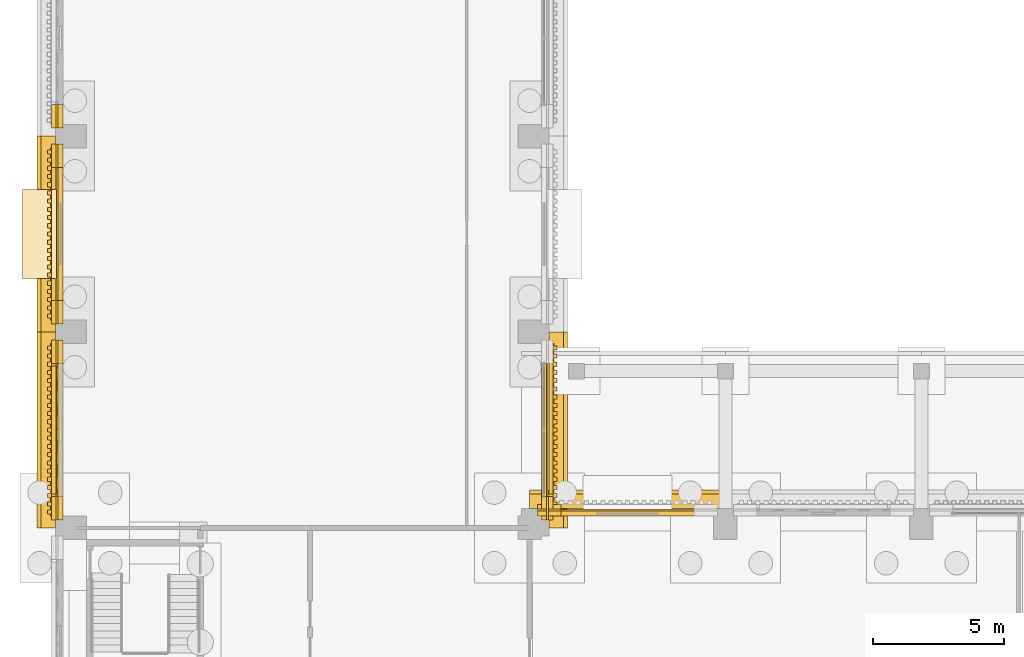
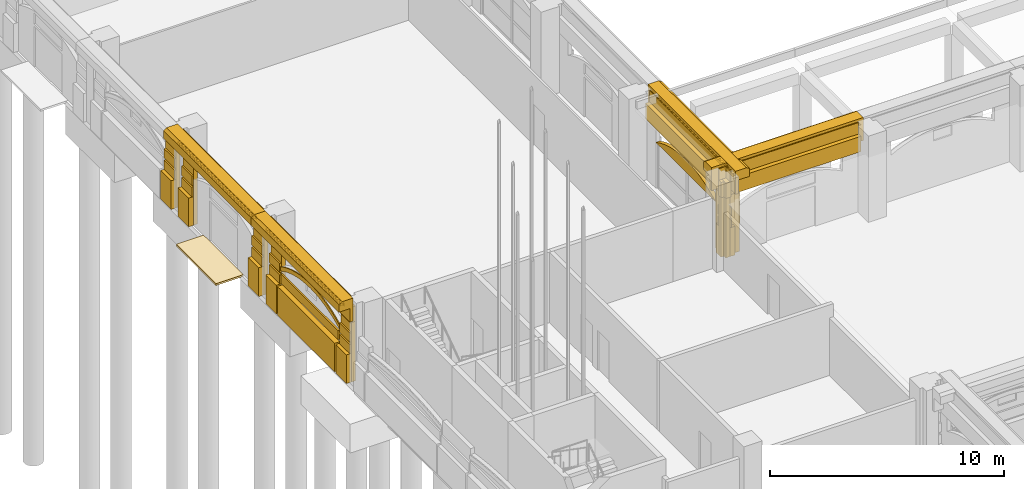
# One storey, part 70 of 99: 44 coverings.
"""IFC4 building model written with IfcOpenShell, lengths in metres."""

from ifc_helpers import new_model, si_unit, direction, frame, origin, place, context, subcontext, project, spatial, polyline, outline, extrude, material, layer, layer_set, type_object, element, save


model = new_model("IFC4")

# Units and contexts
model_context = context("Model", 3, precision=1e-05, world=origin(), true_north=direction((0.0, 1.0)))
body_context = subcontext(model_context, "Body", "Model", "MODEL_VIEW")
ifc_project = project(units=[si_unit("LENGTHUNIT", "METRE"), si_unit("AREAUNIT", "SQUARE_METRE"), si_unit("VOLUMEUNIT", "CUBIC_METRE"), si_unit("PLANEANGLEUNIT", "RADIAN"), si_unit("MASSUNIT", "GRAM", prefix="KILO")], contexts=[model_context])

# Site, building, storey
site_placement = place(None, origin())
site = spatial("IfcSite", under=ifc_project, at=site_placement, CompositionType="ELEMENT")
building_placement = place(site_placement, origin())
building = spatial("IfcBuilding", under=site, at=building_placement, Name="Cour d'Honneur Mobility Palace", CompositionType="ELEMENT")
storey_placement = place(building_placement, origin())
storey = spatial("IfcBuildingStorey", under=building, at=storey_placement, Name="L00", CompositionType="ELEMENT", Elevation=0.0)

# Coverings
ifc_material_1 = material(Name="Cast limestone", Category="masonry")
ifc_layer_1 = layer(ifc_material_1, 0.050048828125)
ifc_layer_set_1 = layer_set([ifc_layer_1], Name="Cast limestone")
covering_type_1 = type_object("IfcCoveringType", Name="Arch hood", PredefinedType="CLADDING", material=ifc_layer_set_1)
covering_1_placement = place(storey_placement, frame((-0.699951171875, 68.699951171875, 2.179931640625), z_axis=(-1.0, 0.0, 0.0), x_axis=(0.0, -0.893466628376, 0.449129584839)))
element("IfcCovering", 1, at=covering_1_placement, inside=storey, type_object=covering_type_1, Name="Arch hood AH-51", PredefinedType="CLADDING", context=body_context, shape_type="SweptSolid", body=[
    extrude(outline(polyline([(0.0, 0.0), (0.35659251896621735, 0.0), (0.7019994885684498, -0.022795326888668588), (1.036770332748469, -0.0667494093809779), (1.3614544754480467, -0.13022567619190017), (1.6770364335570624, -0.21235277137119013), (1.9834088964060255, -0.3122569988605455), (2.2812274285521696, -0.4297213972129261), (2.570383549271975, -0.5644181841497155), (2.850768777841922, -0.7160195773922962), (3.122709726486599, -0.8849630099968336), (3.38566048142632, -1.0712473119092998), (3.6398380041081246, -1.2755280476869282), (3.8846952106983004, -1.4983499610553759), (4.119465715808033, -1.740694058742436), (4.343818226996622, -2.004306562810686), (4.556548925819088, -2.2904950922125074), (4.655344276390369, -2.0939586097498237), (4.44272322834545, -1.807551948846934), (4.218261066379314, -1.5441575762797524), (3.9834905612695803, -1.3018134785926923), (3.7387430054569535, -1.078773433723176), (3.4844558319976, -0.8747108294466162), (3.221505077057879, -0.68842652753415), (2.949564128413202, -0.5194830949296125), (2.669178899843255, -0.3678817016870317), (2.3800227791234496, -0.2331849147502425), (2.0822042469773057, -0.11572051639786185), (1.7758317841283424, -0.015816288908506504), (1.4603594767968753, 0.06652893777185187), (1.135565683319749, 0.12978707308170578), (0.8007948391397299, 0.17374115557401504), (0.45549752031504603, 0.1967546139637521), (0.09879535057128006, 0.19653648246268365), (0.0, 0.0)])), origin(), (0.0, 0.0, -1.0), 0.050048828125),
])
ifc_material_2 = material(Name="Cast limestone", Category="masonry")
ifc_layer_2 = layer(ifc_material_2, 0.199951171875)
ifc_layer_set_2 = layer_set([ifc_layer_2], Name="Cast limestone")
covering_type_2 = type_object("IfcCoveringType", Name="Arch tympanum panel", PredefinedType="CLADDING", material=ifc_layer_set_2)
covering_2_placement = place(storey_placement, frame((18.050048828125, 63.60009765625, 2.39990234375), z_axis=(1.0, 0.0, 0.0), x_axis=(0.0, 1.0, 0.0)))
element("IfcCovering", 2, at=covering_2_placement, inside=storey, type_object=covering_type_2, Name="Arch tympanum panel TP-10", PredefinedType="CLADDING", context=body_context, shape_type="SweptSolid", body=[
    extrude(outline(polyline([(0.0, 0.0), (5.099853515625, 0.0), (5.099853515625, 0.0), (4.78125, 0.160400390625), (4.46240234375, 0.294921875), (4.1435546875, 0.406005859375), (3.824951171875, 0.495361328125), (3.506103515625, 0.5634765625), (3.1875, 0.61181640625), (2.86865234375, 0.640625), (2.5498046875, 0.650146484375), (2.231201171875, 0.640625), (1.912353515625, 0.61181640625), (1.59375, 0.5634765625), (1.27490234375, 0.495361328125), (0.9560546875, 0.406005859375), (0.637451171875, 0.294921875), (0.318603515625, 0.160400390625), (0.0, 0.0), (0.0, 0.0)])), origin(), (0.0, 0.0, -1.0), 0.199951171875),
])
ifc_material_3 = material(Name="Cast limestone", Category="masonry")
ifc_layer_3 = layer(ifc_material_3, 0.14990234375)
ifc_layer_set_3 = layer_set([ifc_layer_3], Name="Cast limestone")
covering_type_3 = type_object("IfcCoveringType", Name="Dentil course", PredefinedType="CLADDING", material=ifc_layer_set_3)
covering_3_placement = place(storey_placement, frame((0.0, 0.0, 3.949951171875)))
element("IfcCovering", 3, at=covering_3_placement, inside=storey, type_object=covering_type_3, Name="Dentil course DC-55", PredefinedType="CLADDING", context=body_context, shape_type="SweptSolid", body=[
    extrude(outline(polyline([(18.300048828125, 62.85009765625), (18.300048828125, 69.449951171875), (18.330078125, 69.449951171875), (18.330078125, 69.449951171875), (18.330078125, 69.371337890625), (18.449951171875, 69.371337890625), (18.449951171875, 69.21435546875), (18.330078125, 69.21435546875), (18.330078125, 69.1357421875), (18.330078125, 69.1357421875), (18.330078125, 69.05712890625), (18.449951171875, 69.05712890625), (18.449951171875, 68.89990234375), (18.330078125, 68.89990234375), (18.330078125, 68.821533203125), (18.330078125, 68.821533203125), (18.330078125, 68.742919921875), (18.449951171875, 68.742919921875), (18.449951171875, 68.585693359375), (18.330078125, 68.585693359375), (18.330078125, 68.507080078125), (18.330078125, 68.507080078125), (18.330078125, 68.428466796875), (18.449951171875, 68.428466796875), (18.449951171875, 68.271484375), (18.330078125, 68.271484375), (18.330078125, 68.19287109375), (18.330078125, 68.19287109375), (18.330078125, 68.1142578125), (18.449951171875, 68.1142578125), (18.449951171875, 67.95703125), (18.330078125, 67.95703125), (18.330078125, 67.878662109375), (18.330078125, 67.878662109375), (18.330078125, 67.800048828125), (18.449951171875, 67.800048828125), (18.449951171875, 67.642822265625), (18.330078125, 67.642822265625), (18.330078125, 67.564208984375), (18.330078125, 67.564208984375), (18.330078125, 67.485595703125), (18.449951171875, 67.485595703125), (18.449951171875, 67.32861328125), (18.330078125, 67.32861328125), (18.330078125, 67.25), (18.330078125, 67.25), (18.330078125, 67.17138671875), (18.449951171875, 67.17138671875), (18.449951171875, 67.014404296875), (18.330078125, 67.014404296875), (18.330078125, 66.935791015625), (18.330078125, 66.935791015625), (18.330078125, 66.857177734375), (18.449951171875, 66.857177734375), (18.449951171875, 66.699951171875), (18.330078125, 66.699951171875), (18.330078125, 66.621337890625), (18.330078125, 66.621337890625), (18.330078125, 66.54296875), (18.449951171875, 66.54296875), (18.449951171875, 66.3857421875), (18.330078125, 66.3857421875), (18.330078125, 66.30712890625), (18.330078125, 66.30712890625), (18.330078125, 66.228515625), (18.449951171875, 66.228515625), (18.449951171875, 66.071533203125), (18.330078125, 66.071533203125), (18.330078125, 65.992919921875), (18.330078125, 65.992919921875), (18.330078125, 65.914306640625), (18.449951171875, 65.914306640625), (18.449951171875, 65.757080078125), (18.330078125, 65.757080078125), (18.330078125, 65.678466796875), (18.330078125, 65.678466796875), (18.330078125, 65.60009765625), (18.449951171875, 65.60009765625), (18.449951171875, 65.44287109375), (18.330078125, 65.44287109375), (18.330078125, 65.3642578125), (18.330078125, 65.3642578125), (18.330078125, 65.28564453125), (18.449951171875, 65.28564453125), (18.449951171875, 65.128662109375), (18.330078125, 65.128662109375), (18.330078125, 65.050048828125), (18.330078125, 65.050048828125), (18.330078125, 64.971435546875), (18.449951171875, 64.971435546875), (18.449951171875, 64.814208984375), (18.330078125, 64.814208984375), (18.330078125, 64.735595703125), (18.330078125, 64.735595703125), (18.330078125, 64.6572265625), (18.449951171875, 64.6572265625), (18.449951171875, 64.5), (18.330078125, 64.5), (18.330078125, 64.42138671875), (18.330078125, 64.42138671875), (18.330078125, 64.3427734375), (18.449951171875, 64.3427734375), (18.449951171875, 64.185791015625), (18.330078125, 64.185791015625), (18.330078125, 64.107177734375), (18.330078125, 64.107177734375), (18.330078125, 64.028564453125), (18.449951171875, 64.028564453125), (18.449951171875, 63.871337890625), (18.330078125, 63.871337890625), (18.330078125, 63.79296875), (18.330078125, 63.79296875), (18.330078125, 63.71435546875), (18.449951171875, 63.71435546875), (18.449951171875, 63.55712890625), (18.330078125, 63.55712890625), (18.330078125, 63.478515625), (18.330078125, 63.478515625), (18.330078125, 63.39990234375), (18.449951171875, 63.39990234375), (18.449951171875, 63.242919921875), (18.330078125, 63.242919921875), (18.330078125, 63.164306640625), (18.330078125, 63.164306640625), (18.330078125, 63.085693359375), (18.449951171875, 63.085693359375), (18.449951171875, 62.928466796875), (18.330078125, 62.928466796875), (18.330078125, 62.85009765625), (18.300048828125, 62.85009765625)])), origin(), (0.0, 0.0, 1.0), 0.150146484375),
])
covering_4_placement = place(storey_placement, frame((0.0, 0.0, 3.949951171875)))
element("IfcCovering", 4, at=covering_4_placement, inside=storey, type_object=covering_type_3, Name="Dentil course DC-65", PredefinedType="CLADDING", context=body_context, shape_type="SweptSolid", body=[
    extrude(outline(polyline([(-0.89990234375, 76.949951171875), (-0.89990234375, 70.35009765625), (-0.929931640625, 70.35009765625), (-0.929931640625, 70.35009765625), (-0.929931640625, 70.428466796875), (-1.050048828125, 70.428466796875), (-1.050048828125, 70.585693359375), (-0.929931640625, 70.585693359375), (-0.929931640625, 70.664306640625), (-0.929931640625, 70.664306640625), (-0.929931640625, 70.742919921875), (-1.050048828125, 70.742919921875), (-1.050048828125, 70.89990234375), (-0.929931640625, 70.89990234375), (-0.929931640625, 70.978515625), (-0.929931640625, 70.978515625), (-0.929931640625, 71.05712890625), (-1.050048828125, 71.05712890625), (-1.050048828125, 71.21435546875), (-0.929931640625, 71.21435546875), (-0.929931640625, 71.29296875), (-0.929931640625, 71.29296875), (-0.929931640625, 71.371337890625), (-1.050048828125, 71.371337890625), (-1.050048828125, 71.528564453125), (-0.929931640625, 71.528564453125), (-0.929931640625, 71.607177734375), (-0.929931640625, 71.607177734375), (-0.929931640625, 71.685791015625), (-1.050048828125, 71.685791015625), (-1.050048828125, 71.8427734375), (-0.929931640625, 71.8427734375), (-0.929931640625, 71.92138671875), (-0.929931640625, 71.92138671875), (-0.929931640625, 72.0), (-1.050048828125, 72.0), (-1.050048828125, 72.1572265625), (-0.929931640625, 72.1572265625), (-0.929931640625, 72.235595703125), (-0.929931640625, 72.235595703125), (-0.929931640625, 72.314208984375), (-1.050048828125, 72.314208984375), (-1.050048828125, 72.471435546875), (-0.929931640625, 72.471435546875), (-0.929931640625, 72.550048828125), (-0.929931640625, 72.550048828125), (-0.929931640625, 72.628662109375), (-1.050048828125, 72.628662109375), (-1.050048828125, 72.78564453125), (-0.929931640625, 72.78564453125), (-0.929931640625, 72.8642578125), (-0.929931640625, 72.8642578125), (-0.929931640625, 72.94287109375), (-1.050048828125, 72.94287109375), (-1.050048828125, 73.10009765625), (-0.929931640625, 73.10009765625), (-0.929931640625, 73.178466796875), (-0.929931640625, 73.178466796875), (-0.929931640625, 73.257080078125), (-1.050048828125, 73.257080078125), (-1.050048828125, 73.414306640625), (-0.929931640625, 73.414306640625), (-0.929931640625, 73.492919921875), (-0.929931640625, 73.492919921875), (-0.929931640625, 73.571533203125), (-1.050048828125, 73.571533203125), (-1.050048828125, 73.728515625), (-0.929931640625, 73.728515625), (-0.929931640625, 73.80712890625), (-0.929931640625, 73.80712890625), (-0.929931640625, 73.8857421875), (-1.050048828125, 73.8857421875), (-1.050048828125, 74.04296875), (-0.929931640625, 74.04296875), (-0.929931640625, 74.121337890625), (-0.929931640625, 74.121337890625), (-0.929931640625, 74.199951171875), (-1.050048828125, 74.199951171875), (-1.050048828125, 74.357177734375), (-0.929931640625, 74.357177734375), (-0.929931640625, 74.435791015625), (-0.929931640625, 74.435791015625), (-0.929931640625, 74.514404296875), (-1.050048828125, 74.514404296875), (-1.050048828125, 74.67138671875), (-0.929931640625, 74.67138671875), (-0.929931640625, 74.75), (-0.929931640625, 74.75), (-0.929931640625, 74.82861328125), (-1.050048828125, 74.82861328125), (-1.050048828125, 74.985595703125), (-0.929931640625, 74.985595703125), (-0.929931640625, 75.064208984375), (-0.929931640625, 75.064208984375), (-0.929931640625, 75.142822265625), (-1.050048828125, 75.142822265625), (-1.050048828125, 75.300048828125), (-0.929931640625, 75.300048828125), (-0.929931640625, 75.378662109375), (-0.929931640625, 75.378662109375), (-0.929931640625, 75.45703125), (-1.050048828125, 75.45703125), (-1.050048828125, 75.6142578125), (-0.929931640625, 75.6142578125), (-0.929931640625, 75.69287109375), (-0.929931640625, 75.69287109375), (-0.929931640625, 75.771484375), (-1.050048828125, 75.771484375), (-1.050048828125, 75.928466796875), (-0.929931640625, 75.928466796875), (-0.929931640625, 76.007080078125), (-0.929931640625, 76.007080078125), (-0.929931640625, 76.085693359375), (-1.050048828125, 76.085693359375), (-1.050048828125, 76.242919921875), (-0.929931640625, 76.242919921875), (-0.929931640625, 76.321533203125), (-0.929931640625, 76.321533203125), (-0.929931640625, 76.39990234375), (-1.050048828125, 76.39990234375), (-1.050048828125, 76.55712890625), (-0.929931640625, 76.55712890625), (-0.929931640625, 76.6357421875), (-0.929931640625, 76.6357421875), (-0.929931640625, 76.71435546875), (-1.050048828125, 76.71435546875), (-1.050048828125, 76.871337890625), (-0.929931640625, 76.871337890625), (-0.929931640625, 76.949951171875), (-0.89990234375, 76.949951171875)])), origin(), (0.0, 0.0, 1.0), 0.150146484375),
])
covering_5_placement = place(storey_placement, frame((0.0, 0.0, 3.949951171875)))
element("IfcCovering", 5, at=covering_5_placement, inside=storey, type_object=covering_type_3, Name="Dentil course DC-66", PredefinedType="CLADDING", context=body_context, shape_type="SweptSolid", body=[
    extrude(outline(polyline([(-0.89990234375, 69.449951171875), (-0.89990234375, 62.85009765625), (-0.929931640625, 62.85009765625), (-0.929931640625, 62.85009765625), (-0.929931640625, 62.928466796875), (-1.050048828125, 62.928466796875), (-1.050048828125, 63.085693359375), (-0.929931640625, 63.085693359375), (-0.929931640625, 63.164306640625), (-0.929931640625, 63.164306640625), (-0.929931640625, 63.242919921875), (-1.050048828125, 63.242919921875), (-1.050048828125, 63.39990234375), (-0.929931640625, 63.39990234375), (-0.929931640625, 63.478515625), (-0.929931640625, 63.478515625), (-0.929931640625, 63.55712890625), (-1.050048828125, 63.55712890625), (-1.050048828125, 63.71435546875), (-0.929931640625, 63.71435546875), (-0.929931640625, 63.79296875), (-0.929931640625, 63.79296875), (-0.929931640625, 63.871337890625), (-1.050048828125, 63.871337890625), (-1.050048828125, 64.028564453125), (-0.929931640625, 64.028564453125), (-0.929931640625, 64.107177734375), (-0.929931640625, 64.107177734375), (-0.929931640625, 64.185791015625), (-1.050048828125, 64.185791015625), (-1.050048828125, 64.3427734375), (-0.929931640625, 64.3427734375), (-0.929931640625, 64.42138671875), (-0.929931640625, 64.42138671875), (-0.929931640625, 64.5), (-1.050048828125, 64.5), (-1.050048828125, 64.6572265625), (-0.929931640625, 64.6572265625), (-0.929931640625, 64.735595703125), (-0.929931640625, 64.735595703125), (-0.929931640625, 64.814208984375), (-1.050048828125, 64.814208984375), (-1.050048828125, 64.971435546875), (-0.929931640625, 64.971435546875), (-0.929931640625, 65.050048828125), (-0.929931640625, 65.050048828125), (-0.929931640625, 65.128662109375), (-1.050048828125, 65.128662109375), (-1.050048828125, 65.28564453125), (-0.929931640625, 65.28564453125), (-0.929931640625, 65.3642578125), (-0.929931640625, 65.3642578125), (-0.929931640625, 65.44287109375), (-1.050048828125, 65.44287109375), (-1.050048828125, 65.60009765625), (-0.929931640625, 65.60009765625), (-0.929931640625, 65.678466796875), (-0.929931640625, 65.678466796875), (-0.929931640625, 65.757080078125), (-1.050048828125, 65.757080078125), (-1.050048828125, 65.914306640625), (-0.929931640625, 65.914306640625), (-0.929931640625, 65.992919921875), (-0.929931640625, 65.992919921875), (-0.929931640625, 66.071533203125), (-1.050048828125, 66.071533203125), (-1.050048828125, 66.228515625), (-0.929931640625, 66.228515625), (-0.929931640625, 66.30712890625), (-0.929931640625, 66.30712890625), (-0.929931640625, 66.3857421875), (-1.050048828125, 66.3857421875), (-1.050048828125, 66.54296875), (-0.929931640625, 66.54296875), (-0.929931640625, 66.621337890625), (-0.929931640625, 66.621337890625), (-0.929931640625, 66.699951171875), (-1.050048828125, 66.699951171875), (-1.050048828125, 66.857177734375), (-0.929931640625, 66.857177734375), (-0.929931640625, 66.935791015625), (-0.929931640625, 66.935791015625), (-0.929931640625, 67.014404296875), (-1.050048828125, 67.014404296875), (-1.050048828125, 67.17138671875), (-0.929931640625, 67.17138671875), (-0.929931640625, 67.25), (-0.929931640625, 67.25), (-0.929931640625, 67.32861328125), (-1.050048828125, 67.32861328125), (-1.050048828125, 67.485595703125), (-0.929931640625, 67.485595703125), (-0.929931640625, 67.564208984375), (-0.929931640625, 67.564208984375), (-0.929931640625, 67.642822265625), (-1.050048828125, 67.642822265625), (-1.050048828125, 67.800048828125), (-0.929931640625, 67.800048828125), (-0.929931640625, 67.878662109375), (-0.929931640625, 67.878662109375), (-0.929931640625, 67.95703125), (-1.050048828125, 67.95703125), (-1.050048828125, 68.1142578125), (-0.929931640625, 68.1142578125), (-0.929931640625, 68.19287109375), (-0.929931640625, 68.19287109375), (-0.929931640625, 68.271484375), (-1.050048828125, 68.271484375), (-1.050048828125, 68.428466796875), (-0.929931640625, 68.428466796875), (-0.929931640625, 68.507080078125), (-0.929931640625, 68.507080078125), (-0.929931640625, 68.585693359375), (-1.050048828125, 68.585693359375), (-1.050048828125, 68.742919921875), (-0.929931640625, 68.742919921875), (-0.929931640625, 68.821533203125), (-0.929931640625, 68.821533203125), (-0.929931640625, 68.89990234375), (-1.050048828125, 68.89990234375), (-1.050048828125, 69.05712890625), (-0.929931640625, 69.05712890625), (-0.929931640625, 69.1357421875), (-0.929931640625, 69.1357421875), (-0.929931640625, 69.21435546875), (-1.050048828125, 69.21435546875), (-1.050048828125, 69.371337890625), (-0.929931640625, 69.371337890625), (-0.929931640625, 69.449951171875), (-0.89990234375, 69.449951171875)])), origin(), (0.0, 0.0, 1.0), 0.150146484375),
])
ifc_material_4 = material(Name="Cast limestone", Category="masonry")
ifc_layer_4 = layer(ifc_material_4, 0.699951171875)
ifc_layer_set_4 = layer_set([ifc_layer_4], Name="Cast limestone")
covering_type_4 = type_object("IfcCoveringType", Name="Entablature", PredefinedType="CLADDING", material=ifc_layer_set_4)
for number, where, z_axis, x_axis, name in (
    (6, (24.89990234375, 63.14990234375, 3.39990234375), (1.0, 0.0, 0.0), (0.0, 1.0, 0.0), "Entablature EN-54"),
    (7, (18.14990234375, 62.39990234375, 3.39990234375), (0.0, -1.0, 0.0), (1.0, 0.0, 0.0), "Entablature EN-55"),
):
    element("IfcCovering", number, at=place(storey_placement, frame(where, z_axis=z_axis, x_axis=x_axis)), inside=storey, type_object=covering_type_4, Name=name, PredefinedType="CLADDING", context=body_context, shape_type="SweptSolid", body=[
        extrude(outline(polyline([(0.0, 0.0), (0.150146484375, 0.0), (0.150146484375, 0.7001953125), (0.7001953125, 0.7001953125), (0.7001953125, 1.10009765625), (0.550048828125, 1.2001953125), (0.0, 1.2001953125), (0.0, 0.0)])), origin(), (0.0, 0.0, -1.0), 7.5),
    ])
for number, where, z_axis, x_axis, name in (
    (8, (-0.75, 77.39990234375, 3.39990234375), (0.0, 1.0, 0.0), (-1.0, 0.0, 0.0), "Entablature EN-65"),
    (9, (-0.75, 69.89990234375, 3.39990234375), (0.0, 1.0, 0.0), (-1.0, 0.0, 0.0), "Entablature EN-66"),
):
    element("IfcCovering", number, at=place(storey_placement, frame(where, z_axis=z_axis, x_axis=x_axis)), inside=storey, type_object=covering_type_4, Name=name, PredefinedType="CLADDING", context=body_context, shape_type="SweptSolid", body=[
        extrude(outline(polyline([(0.0, 0.0), (0.14990234375, 0.0), (0.14990234375, 0.7001953125), (0.699951171875, 0.7001953125), (0.699951171875, 1.10009765625), (0.550048828125, 1.2001953125), (0.0, 1.2001953125), (0.0, 0.0)])), origin(), (0.0, 0.0, -1.0), 7.5),
    ])
ifc_material_5 = material(Name="Granite paving", Category="masonry")
ifc_layer_5 = layer(ifc_material_5, 0.10009765625)
ifc_layer_set_5 = layer_set([ifc_layer_5], Name="Granite paving")
covering_type_5 = type_object("IfcCoveringType", Name="Entrance paving", PredefinedType="FLOORING", material=ifc_layer_set_5)
covering_6_placement = place(storey_placement, frame((0.0, 0.0, -0.10009765625)))
element("IfcCovering", 10, at=covering_6_placement, inside=storey, type_object=covering_type_5, Name="Entrance paving PV-28", PredefinedType="FLOORING", context=body_context, shape_type="SweptSolid", body=[
    extrude(outline(polyline([(-0.64990234375, 75.35009765625), (-0.64990234375, 71.949951171875), (-2.0, 71.949951171875), (-2.0, 75.35009765625), (-0.64990234375, 75.35009765625)])), origin(), (0.0, 0.0, 1.0), 0.10009765625),
])
ifc_material_6 = material(Name="Cast limestone", Category="masonry")
ifc_layer_6 = layer(ifc_material_6, 0.25)
ifc_layer_set_6 = layer_set([ifc_layer_6], Name="Cast limestone")
covering_type_6 = type_object("IfcCoveringType", Name="Plinth course", PredefinedType="CLADDING", material=ifc_layer_set_6)
covering_7_placement = place(storey_placement, origin())
element("IfcCovering", 11, at=covering_7_placement, inside=storey, type_object=covering_type_6, Name="Plinth course PI-173", PredefinedType="CLADDING", context=body_context, shape_type="SweptSolid", body=[
    extrude(outline(polyline([(18.60009765625, 63.050048828125), (17.699951171875, 63.050048828125), (17.699951171875, 63.300048828125), (18.60009765625, 63.300048828125), (18.60009765625, 63.050048828125)])), origin(), (0.0, 0.0, 1.0), 1.5),
])
covering_8_placement = place(storey_placement, origin())
element("IfcCovering", 12, at=covering_8_placement, inside=storey, type_object=covering_type_6, Name="Plinth course PI-174", PredefinedType="CLADDING", context=body_context, shape_type="SweptSolid", body=[
    extrude(outline(polyline([(18.050048828125, 62.699951171875), (18.050048828125, 63.60009765625), (18.300048828125, 63.60009765625), (18.300048828125, 62.699951171875), (18.050048828125, 62.699951171875)])), origin(), (0.0, 0.0, 1.0), 1.5),
])
covering_9_placement = place(storey_placement, origin())
element("IfcCovering", 13, at=covering_9_placement, inside=storey, type_object=covering_type_6, Name="Plinth course PI-201", PredefinedType="CLADDING", context=body_context, shape_type="SweptSolid", body=[
    extrude(outline(polyline([(-0.64990234375, 78.60009765625), (-0.64990234375, 77.699951171875), (-0.89990234375, 77.699951171875), (-0.89990234375, 78.60009765625), (-0.64990234375, 78.60009765625)])), origin(), (0.0, 0.0, 1.0), 1.5),
])
covering_10_placement = place(storey_placement, origin())
element("IfcCovering", 14, at=covering_10_placement, inside=storey, type_object=covering_type_6, Name="Plinth course PI-203", PredefinedType="CLADDING", context=body_context, shape_type="SweptSolid", body=[
    extrude(outline(polyline([(-0.64990234375, 77.10009765625), (-0.64990234375, 76.199951171875), (-0.89990234375, 76.199951171875), (-0.89990234375, 77.10009765625), (-0.64990234375, 77.10009765625)])), origin(), (0.0, 0.0, 1.0), 1.5),
])
covering_11_placement = place(storey_placement, origin())
element("IfcCovering", 15, at=covering_11_placement, inside=storey, type_object=covering_type_6, Name="Plinth course PI-204", PredefinedType="CLADDING", context=body_context, shape_type="SweptSolid", body=[
    extrude(outline(polyline([(-0.64990234375, 71.10009765625), (-0.64990234375, 70.199951171875), (-0.89990234375, 70.199951171875), (-0.89990234375, 71.10009765625), (-0.64990234375, 71.10009765625)])), origin(), (0.0, 0.0, 1.0), 1.5),
])
covering_12_placement = place(storey_placement, origin())
element("IfcCovering", 16, at=covering_12_placement, inside=storey, type_object=covering_type_6, Name="Plinth course PI-205", PredefinedType="CLADDING", context=body_context, shape_type="SweptSolid", body=[
    extrude(outline(polyline([(-0.64990234375, 69.60009765625), (-0.64990234375, 68.699951171875), (-0.89990234375, 68.699951171875), (-0.89990234375, 69.60009765625), (-0.64990234375, 69.60009765625)])), origin(), (0.0, 0.0, 1.0), 1.5),
])
covering_13_placement = place(storey_placement, origin())
element("IfcCovering", 17, at=covering_13_placement, inside=storey, type_object=covering_type_6, Name="Plinth course PI-206", PredefinedType="CLADDING", context=body_context, shape_type="SweptSolid", body=[
    extrude(outline(polyline([(-0.64990234375, 63.60009765625), (-0.64990234375, 62.699951171875), (-0.89990234375, 62.699951171875), (-0.89990234375, 63.60009765625), (-0.64990234375, 63.60009765625)])), origin(), (0.0, 0.0, 1.0), 1.5),
])
covering_14_placement = place(storey_placement, origin())
element("IfcCovering", 18, at=covering_14_placement, inside=storey, type_object=covering_type_6, Name="Plinth course PI-207", PredefinedType="CLADDING", context=body_context, shape_type="SweptSolid", body=[
    extrude(outline(polyline([(-0.64990234375, 68.60009765625), (-0.64990234375, 63.699951171875), (-0.89990234375, 63.699951171875), (-0.89990234375, 68.60009765625), (-0.64990234375, 68.60009765625)])), origin(), (0.0, 0.0, 1.0), 1.5),
])
ifc_material_7 = material(Name="Cast limestone", Category="masonry")
ifc_layer_7 = layer(ifc_material_7, 0.199951171875)
ifc_layer_set_7 = layer_set([ifc_layer_7], Name="Cast limestone")
covering_type_7 = type_object("IfcCoveringType", Name="Rusticated jamb panel", PredefinedType="CLADDING", material=ifc_layer_set_7)
for number, where, z_axis, x_axis, name in (
    (19, (18.60009765625, 63.050048828125, 0.0), (0.0, 1.0, 0.0), (-1.0, 0.0, 0.0), "Rusticated jamb panel RP-145"),
    (20, (18.050048828125, 62.699951171875, 0.0), (1.0, 0.0, 0.0), (0.0, 1.0, 0.0), "Rusticated jamb panel RP-146"),
    (21, (-0.64990234375, 78.60009765625, 0.0), (-1.0, 0.0, 0.0), (0.0, -1.0, 0.0), "Rusticated jamb panel RP-172"),
    (22, (-0.64990234375, 77.10009765625, 0.0), (-1.0, 0.0, 0.0), (0.0, -1.0, 0.0), "Rusticated jamb panel RP-173"),
    (23, (-0.64990234375, 71.10009765625, 0.0), (-1.0, 0.0, 0.0), (0.0, -1.0, 0.0), "Rusticated jamb panel RP-174"),
    (24, (-0.64990234375, 69.60009765625, 0.0), (-1.0, 0.0, 0.0), (0.0, -1.0, 0.0), "Rusticated jamb panel RP-175"),
    (25, (-0.64990234375, 63.60009765625, 0.0), (-1.0, 0.0, 0.0), (0.0, -1.0, 0.0), "Rusticated jamb panel RP-176"),
):
    element("IfcCovering", number, at=place(storey_placement, frame(where, z_axis=z_axis, x_axis=x_axis)), inside=storey, type_object=covering_type_7, Name=name, PredefinedType="CLADDING", context=body_context, shape_type="SweptSolid", body=[
        extrude(outline(polyline([(0.0, 0.0), (0.900146484375, 0.0), (0.900146484375, 3.10009765625), (0.0, 3.10009765625), (0.0, 0.0)])), origin(), (0.0, 0.0, -1.0), 0.199951171875),
    ])
ifc_material_8 = material(Name="Cast limestone", Category="masonry")
ifc_layer_8 = layer(ifc_material_8, 0.080078125)
ifc_layer_set_8 = layer_set([ifc_layer_8], Name="Cast limestone")
covering_type_8 = type_object("IfcCoveringType", Name="Rustication course", PredefinedType="CLADDING", material=ifc_layer_set_8)
for number, where, name in (
    (26, (0.0, 0.0, 1.5), "Rustication course RC-310"),
    (27, (0.0, 0.0, 2.10009765625), "Rustication course RC-311"),
):
    element("IfcCovering", number, at=place(storey_placement, frame(where)), inside=storey, type_object=covering_type_8, Name=name, PredefinedType="CLADDING", context=body_context, shape_type="SweptSolid", body=[
        extrude(outline(polyline([(18.60009765625, 63.050048828125), (17.699951171875, 63.050048828125), (17.699951171875, 63.1298828125), (18.60009765625, 63.1298828125), (18.60009765625, 63.050048828125)])), origin(), (0.0, 0.0, 1.0), 0.47998046875),
    ])
for number, where, name in (
    (28, (0.0, 0.0, 1.5), "Rustication course RC-312"),
    (29, (0.0, 0.0, 2.10009765625), "Rustication course RC-313"),
):
    element("IfcCovering", number, at=place(storey_placement, frame(where)), inside=storey, type_object=covering_type_8, Name=name, PredefinedType="CLADDING", context=body_context, shape_type="SweptSolid", body=[
        extrude(outline(polyline([(18.050048828125, 62.699951171875), (18.050048828125, 63.60009765625), (18.1298828125, 63.60009765625), (18.1298828125, 62.699951171875), (18.050048828125, 62.699951171875)])), origin(), (0.0, 0.0, 1.0), 0.47998046875),
    ])
for number, where, name in (
    (30, (0.0, 0.0, 1.5), "Rustication course RC-371"),
    (31, (0.0, 0.0, 2.10009765625), "Rustication course RC-372"),
):
    element("IfcCovering", number, at=place(storey_placement, frame(where)), inside=storey, type_object=covering_type_8, Name=name, PredefinedType="CLADDING", context=body_context, shape_type="SweptSolid", body=[
        extrude(outline(polyline([(-0.64990234375, 78.60009765625), (-0.64990234375, 77.699951171875), (-0.72998046875, 77.699951171875), (-0.72998046875, 78.60009765625), (-0.64990234375, 78.60009765625)])), origin(), (0.0, 0.0, 1.0), 0.47998046875),
    ])
for number, where, name in (
    (32, (0.0, 0.0, 1.5), "Rustication course RC-374"),
    (33, (0.0, 0.0, 2.10009765625), "Rustication course RC-375"),
):
    element("IfcCovering", number, at=place(storey_placement, frame(where)), inside=storey, type_object=covering_type_8, Name=name, PredefinedType="CLADDING", context=body_context, shape_type="SweptSolid", body=[
        extrude(outline(polyline([(-0.64990234375, 77.10009765625), (-0.64990234375, 76.199951171875), (-0.72998046875, 76.199951171875), (-0.72998046875, 77.10009765625), (-0.64990234375, 77.10009765625)])), origin(), (0.0, 0.0, 1.0), 0.47998046875),
    ])
for number, where, name in (
    (34, (0.0, 0.0, 1.5), "Rustication course RC-376"),
    (35, (0.0, 0.0, 2.10009765625), "Rustication course RC-377"),
):
    element("IfcCovering", number, at=place(storey_placement, frame(where)), inside=storey, type_object=covering_type_8, Name=name, PredefinedType="CLADDING", context=body_context, shape_type="SweptSolid", body=[
        extrude(outline(polyline([(-0.64990234375, 71.10009765625), (-0.64990234375, 70.199951171875), (-0.72998046875, 70.199951171875), (-0.72998046875, 71.10009765625), (-0.64990234375, 71.10009765625)])), origin(), (0.0, 0.0, 1.0), 0.47998046875),
    ])
for number, where, name in (
    (36, (0.0, 0.0, 1.5), "Rustication course RC-378"),
    (37, (0.0, 0.0, 2.10009765625), "Rustication course RC-379"),
):
    element("IfcCovering", number, at=place(storey_placement, frame(where)), inside=storey, type_object=covering_type_8, Name=name, PredefinedType="CLADDING", context=body_context, shape_type="SweptSolid", body=[
        extrude(outline(polyline([(-0.64990234375, 69.60009765625), (-0.64990234375, 68.699951171875), (-0.72998046875, 68.699951171875), (-0.72998046875, 69.60009765625), (-0.64990234375, 69.60009765625)])), origin(), (0.0, 0.0, 1.0), 0.47998046875),
    ])
for number, where, name in (
    (38, (0.0, 0.0, 1.5), "Rustication course RC-380"),
    (39, (0.0, 0.0, 2.10009765625), "Rustication course RC-381"),
):
    element("IfcCovering", number, at=place(storey_placement, frame(where)), inside=storey, type_object=covering_type_8, Name=name, PredefinedType="CLADDING", context=body_context, shape_type="SweptSolid", body=[
        extrude(outline(polyline([(-0.64990234375, 63.60009765625), (-0.64990234375, 62.699951171875), (-0.72998046875, 62.699951171875), (-0.72998046875, 63.60009765625), (-0.64990234375, 63.60009765625)])), origin(), (0.0, 0.0, 1.0), 0.47998046875),
    ])
covering_15_placement = place(storey_placement, frame((0.0, 0.0, 1.6201171875)))
element("IfcCovering", 40, at=covering_15_placement, inside=storey, type_object=covering_type_8, Name="Rustication course RC-382", PredefinedType="CLADDING", context=body_context, shape_type="SweptSolid", body=[
    extrude(outline(polyline([(-0.64990234375, 68.60009765625), (-0.64990234375, 63.699951171875), (-0.72998046875, 63.699951171875), (-0.72998046875, 68.60009765625), (-0.64990234375, 68.60009765625)])), origin(), (0.0, 0.0, 1.0), 0.47998046875),
])
ifc_material_9 = material(Name="Cast limestone", Category="masonry")
ifc_layer_9 = layer(ifc_material_9, 0.25)
ifc_layer_set_9 = layer_set([ifc_layer_9], Name="Cast limestone")
covering_type_9 = type_object("IfcCoveringType", Name="Spandrel cladding", PredefinedType="CLADDING", material=ifc_layer_set_9)
for number, where, z_axis, x_axis, name in (
    (41, (24.60009765625, 62.85009765625, 3.10009765625), (1.0, 0.0, 0.0), (0.0, 1.0, 0.0), "Spandrel cladding SK-54"),
    (42, (17.85009765625, 62.699951171875, 3.10009765625), (0.0, -1.0, 0.0), (1.0, 0.0, 0.0), "Spandrel cladding SK-55"),
    (43, (-0.449951171875, 77.10009765625, 3.10009765625), (0.0, 1.0, 0.0), (-1.0, 0.0, 0.0), "Spandrel cladding SK-65"),
    (44, (-0.449951171875, 69.60009765625, 3.10009765625), (0.0, 1.0, 0.0), (-1.0, 0.0, 0.0), "Spandrel cladding SK-66"),
):
    element("IfcCovering", number, at=place(storey_placement, frame(where, z_axis=z_axis, x_axis=x_axis)), inside=storey, type_object=covering_type_9, Name=name, PredefinedType="CLADDING", context=body_context, shape_type="SweptSolid", body=[
        extrude(outline(polyline([(0.0, 0.0), (0.25, 0.0), (0.25, 1.39990234375), (0.199951171875, 1.39990234375), (0.199951171875, 0.7998046875), (0.0, 0.7998046875), (0.0, 0.0)])), origin(), (0.0, 0.0, -1.0), 6.89990234375),
    ])

save(model, "model.ifc")
